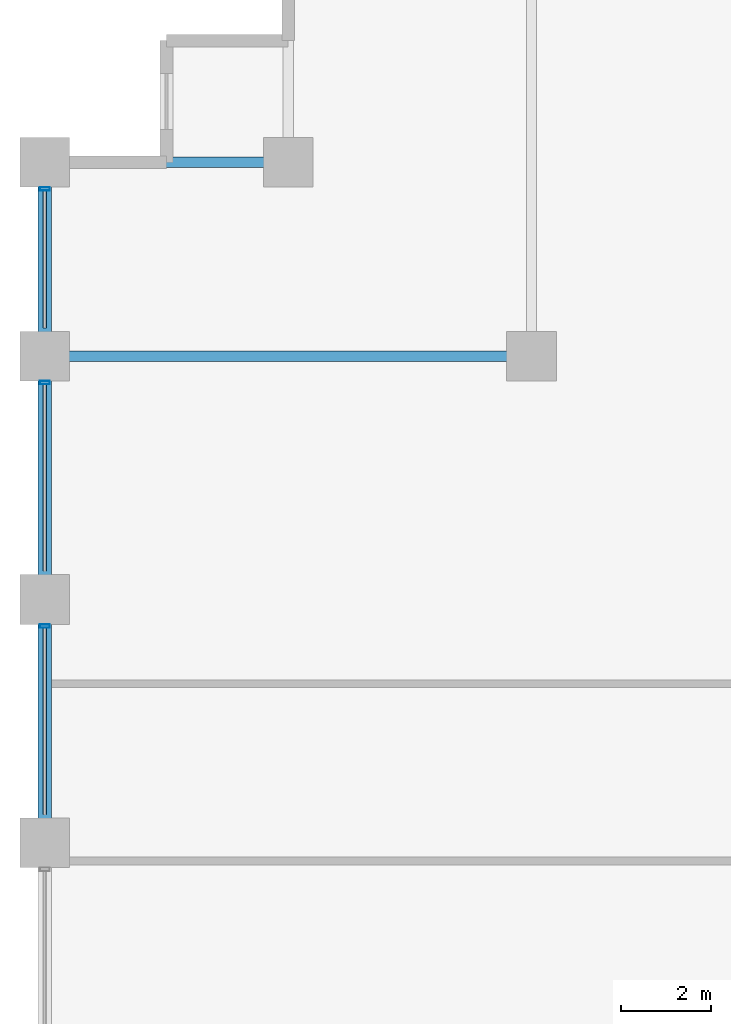
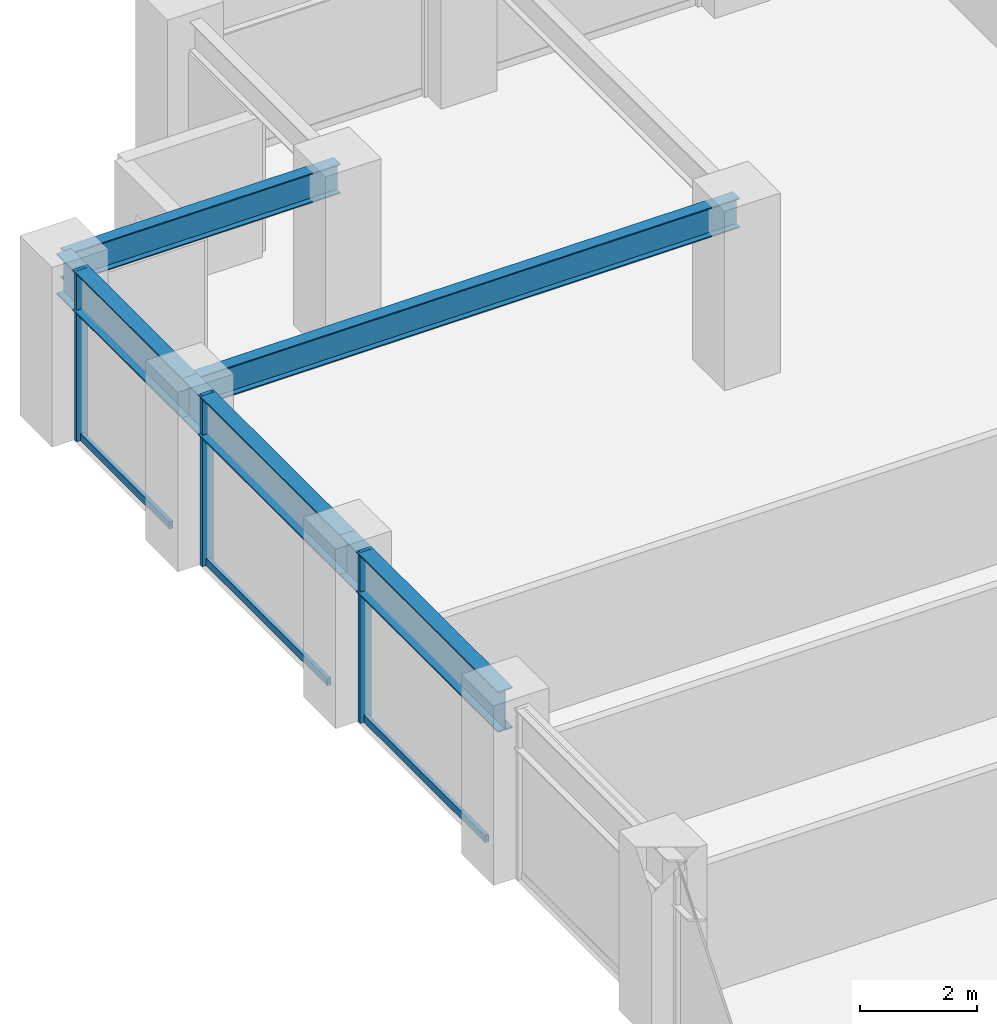
# One storey, part 10 of 25: 6 members, 5 beams, 1 element without a shape of its own.
"""IFC4 building model written with IfcOpenShell, lengths in metres."""

from ifc_helpers import new_model, si_unit, direction, frame, origin, origin_2d, place, context, subcontext, project, spatial, hollow_rectangle, i_section, extrude, material, layer, layer_set, material_profile, profile_set, type_object, element, aggregate, save


model = new_model("IFC4")

# Units and contexts
model_context = context("Model", 3, precision=1e-05, world=origin(), true_north=direction((0.0, 1.0)))
body_context = subcontext(model_context, "Body", "Model", "MODEL_VIEW")
ifc_project = project(units=[si_unit("LENGTHUNIT", "METRE"), si_unit("AREAUNIT", "SQUARE_METRE"), si_unit("VOLUMEUNIT", "CUBIC_METRE"), si_unit("PLANEANGLEUNIT", "RADIAN"), si_unit("MASSUNIT", "GRAM", prefix="KILO")], contexts=[model_context])

# Site, building, storey
site_placement = place(None, origin())
site = spatial("IfcSite", under=ifc_project, at=site_placement, CompositionType="ELEMENT")
building_placement = place(site_placement, origin())
building = spatial("IfcBuilding", under=site, at=building_placement, Name="Surkhivell Harbour Commons", CompositionType="ELEMENT")
storey_placement = place(building_placement, frame((0.0, 0.0, 109.5)))
storey = spatial("IfcBuildingStorey", under=building, at=storey_placement, Name="L28", CompositionType="ELEMENT", Elevation=109.5)

# Beams
ifc_material_1 = material(Name="Steel S355", Category="steel")
ifc_material_profile_1 = material_profile(ifc_material_1, i_section(OverallWidth=0.22998046875, OverallDepth=0.616943359375, WebThickness=0.01318359375, FlangeThickness=0.022216796875, at=origin_2d()), Name="UB610x229x140")
ifc_profile_set_1 = profile_set([ifc_material_profile_1], Name="Steel S355")
beam_type_1 = type_object("IfcBeamType", Name="BM-GRD-610B", PredefinedType="BEAM", material=ifc_profile_set_1)
beam_1_placement = place(storey_placement, frame((-32.39990234375, 16.199951171875, 3.261474609375), z_axis=(1.0, 0.0, 0.0), x_axis=(0.0, 1.0, 0.0)))
element("IfcBeam", 1, at=beam_1_placement, inside=storey, type_object=beam_type_1, Name="L28 Floor Girder (-32.4,16.2)", PredefinedType="BEAM", context=body_context, shape_type="SweptSolid", body=[
    extrude(i_section(OverallWidth=0.22998046875, OverallDepth=0.616943359375, WebThickness=0.01318359375, FlangeThickness=0.022216796875, at=origin_2d()), origin(), (0.0, 0.0, 1.0), 10.7998046875),
])
beam_2_placement = place(storey_placement, frame((-32.39990234375, 20.5, 3.261474609375), z_axis=(1.0, 0.0, 0.0), x_axis=(0.0, 1.0, 0.0)))
element("IfcBeam", 2, at=beam_2_placement, inside=storey, type_object=beam_type_1, Name="L28 Floor Girder (-32.4,20.5)", PredefinedType="BEAM", context=body_context, shape_type="SweptSolid", body=[
    extrude(i_section(OverallWidth=0.22998046875, OverallDepth=0.616943359375, WebThickness=0.01318359375, FlangeThickness=0.022216796875, at=origin_2d()), origin(), (0.0, 0.0, 1.0), 5.39990234375),
])
ifc_material_2 = material(Name="Steel S460", Category="steel")
ifc_material_profile_2 = material_profile(ifc_material_2, i_section(OverallWidth=0.2939453125, OverallDepth=0.85107421875, WebThickness=0.01611328125, FlangeThickness=0.02685546875, at=origin_2d()), Name="UB838x292x226")
ifc_profile_set_2 = profile_set([ifc_material_profile_2], Name="Steel S460")
beam_type_2 = type_object("IfcBeamType", Name="BM-SPN-838", PredefinedType="SPANDREL", material=ifc_profile_set_2)
beam_3_placement = place(storey_placement, frame((-32.39990234375, 5.39990234375, 3.14453125), z_axis=(0.0, 1.0, 0.0), x_axis=(-1.0, 0.0, 0.0)))
element("IfcBeam", 3, at=beam_3_placement, inside=storey, type_object=beam_type_2, Name="L28 Tube Spandrel (-32.4,5.4)", PredefinedType="SPANDREL", context=body_context, shape_type="SweptSolid", body=[
    extrude(i_section(OverallWidth=0.2939453125, OverallDepth=0.85107421875, WebThickness=0.01611328125, FlangeThickness=0.02685546875, at=origin_2d()), origin(), (0.0, 0.0, 1.0), 5.400146484375),
])
beam_4_placement = place(storey_placement, frame((-32.39990234375, 10.800048828125, 3.14453125), z_axis=(0.0, 1.0, 0.0), x_axis=(-1.0, 0.0, 0.0)))
element("IfcBeam", 4, at=beam_4_placement, inside=storey, type_object=beam_type_2, Name="L28 Tube Spandrel (-32.4,10.8)", PredefinedType="SPANDREL", context=body_context, shape_type="SweptSolid", body=[
    extrude(i_section(OverallWidth=0.2939453125, OverallDepth=0.85107421875, WebThickness=0.01611328125, FlangeThickness=0.02685546875, at=origin_2d()), origin(), (0.0, 0.0, 1.0), 5.39990234375),
])
beam_5_placement = place(storey_placement, frame((-32.39990234375, 16.199951171875, 3.14453125), z_axis=(0.0, 1.0, 0.0), x_axis=(-1.0, 0.0, 0.0)))
element("IfcBeam", 5, at=beam_5_placement, inside=storey, type_object=beam_type_2, Name="L28 Tube Spandrel (-32.4,16.2)", PredefinedType="SPANDREL", context=body_context, shape_type="SweptSolid", body=[
    extrude(i_section(OverallWidth=0.2939453125, OverallDepth=0.85107421875, WebThickness=0.01611328125, FlangeThickness=0.02685546875, at=origin_2d()), origin(), (0.0, 0.0, 1.0), 4.300048828125),
])

# Curtain wall, members
ifc_material_3 = material(Name="Anodised pale-metal aluminium and insulated glazing", Category="aluminium")
ifc_layer = layer(ifc_material_3, 0.205078125)
ifc_layer_set = layer_set([ifc_layer], Name="Anodised pale-metal aluminium and insulated glazing")
curtain_wall_type = type_object("IfcCurtainWallType", Name="CW-SYS-Z2", PredefinedType="NOTDEFINED", material=ifc_layer_set)
curtain_wall_placement = place(storey_placement, origin())
curtain_wall = element("IfcCurtainWall", 6, at=curtain_wall_placement, inside=storey, type_object=curtain_wall_type, Name="L28 Curtain Wall CW-L28-E12S1", PredefinedType="NOTDEFINED")
ifc_material_4 = material(Name="Anodised pale-metal aluminium alloy 6063-T6", Category="aluminium")
ifc_material_profile_3 = material_profile(ifc_material_4, hollow_rectangle(XDim=0.074951171875, YDim=0.219970703125, WallThickness=0.00390625, at=origin_2d()), Name="ALU-MULL-75x220")
ifc_profile_set_3 = profile_set([ifc_material_profile_3], Name="Anodised pale-metal aluminium alloy 6063-T6")
member_type_1 = type_object("IfcMemberType", Name="CWM-220", PredefinedType="MULLION", material=ifc_profile_set_3)
member_1_placement = place(storey_placement, frame((-32.39990234375, 19.910400390625, 0.0), z_axis=(0.0, 0.0, 1.0), x_axis=(0.0, -1.0, 0.0)))
member_1 = element("IfcMember", 7, at=member_1_placement, type_object=member_type_1, Name="CW-Z2 mullion 1", PredefinedType="MULLION", context=body_context, shape_type="SweptSolid", body=[
    extrude(hollow_rectangle(XDim=0.074951171875, YDim=0.219970703125, WallThickness=0.00390625, at=origin_2d()), origin(), (0.0, 0.0, 1.0), 3.570068359375),
])
member_2_placement = place(storey_placement, frame((-32.39990234375, 15.610595703125, 0.0), z_axis=(0.0, 0.0, 1.0), x_axis=(0.0, -1.0, 0.0)))
member_2 = element("IfcMember", 8, at=member_2_placement, type_object=member_type_1, Name="CW-Z2 mullion 2", PredefinedType="MULLION", context=body_context, shape_type="SweptSolid", body=[
    extrude(hollow_rectangle(XDim=0.074951171875, YDim=0.219970703125, WallThickness=0.00390625, at=origin_2d()), origin(), (0.0, 0.0, 1.0), 3.570068359375),
])
member_3_placement = place(storey_placement, frame((-32.39990234375, 10.21044921875, 0.0), z_axis=(0.0, 0.0, 1.0), x_axis=(0.0, -1.0, 0.0)))
member_3 = element("IfcMember", 9, at=member_3_placement, type_object=member_type_1, Name="CW-Z2 mullion 3", PredefinedType="MULLION", context=body_context, shape_type="SweptSolid", body=[
    extrude(hollow_rectangle(XDim=0.074951171875, YDim=0.219970703125, WallThickness=0.00390625, at=origin_2d()), origin(), (0.0, 0.0, 1.0), 3.570068359375),
])
ifc_material_profile_4 = material_profile(ifc_material_4, hollow_rectangle(XDim=0.074951171875, YDim=0.14990234375, WallThickness=0.00341796875, at=origin_2d()), Name="ALU-TRAN-75x150")
ifc_profile_set_4 = profile_set([ifc_material_profile_4], Name="Anodised pale-metal aluminium alloy 6063-T6")
member_type_2 = type_object("IfcMemberType", Name="CWT-150", PredefinedType="USERDEFINED", material=ifc_profile_set_4)
member_4_placement = place(storey_placement, frame((-32.39990234375, 19.873046875, 0.074951171875), z_axis=(0.0, -1.0, 0.0), x_axis=(1.0, 0.0, 0.0)))
member_4 = element("IfcMember", 10, at=member_4_placement, type_object=member_type_2, Name="CW-Z2 transom 1.1", ObjectType="TRANSOM", PredefinedType="USERDEFINED", context=body_context, shape_type="SweptSolid", body=[
    extrude(hollow_rectangle(XDim=0.074951171875, YDim=0.14990234375, WallThickness=0.00341796875, at=origin_2d()), origin(), (0.0, 0.0, 1.0), 3.046142578125),
])
member_5_placement = place(storey_placement, frame((-32.39990234375, 15.572998046875, 0.074951171875), z_axis=(0.0, -1.0, 0.0), x_axis=(1.0, 0.0, 0.0)))
member_5 = element("IfcMember", 11, at=member_5_placement, type_object=member_type_2, Name="CW-Z2 transom 2.1", ObjectType="TRANSOM", PredefinedType="USERDEFINED", context=body_context, shape_type="SweptSolid", body=[
    extrude(hollow_rectangle(XDim=0.074951171875, YDim=0.14990234375, WallThickness=0.00341796875, at=origin_2d()), origin(), (0.0, 0.0, 1.0), 4.14599609375),
])
member_6_placement = place(storey_placement, frame((-32.39990234375, 10.173095703125, 0.074951171875), z_axis=(0.0, -1.0, 0.0), x_axis=(1.0, 0.0, 0.0)))
member_6 = element("IfcMember", 12, at=member_6_placement, type_object=member_type_2, Name="CW-Z2 transom 3.1", ObjectType="TRANSOM", PredefinedType="USERDEFINED", context=body_context, shape_type="SweptSolid", body=[
    extrude(hollow_rectangle(XDim=0.074951171875, YDim=0.14990234375, WallThickness=0.00341796875, at=origin_2d()), origin(), (0.0, 0.0, 1.0), 4.14599609375),
])
aggregate(curtain_wall, [member_1, member_4, member_2, member_5, member_3, member_6])

save(model, "model.ifc")
